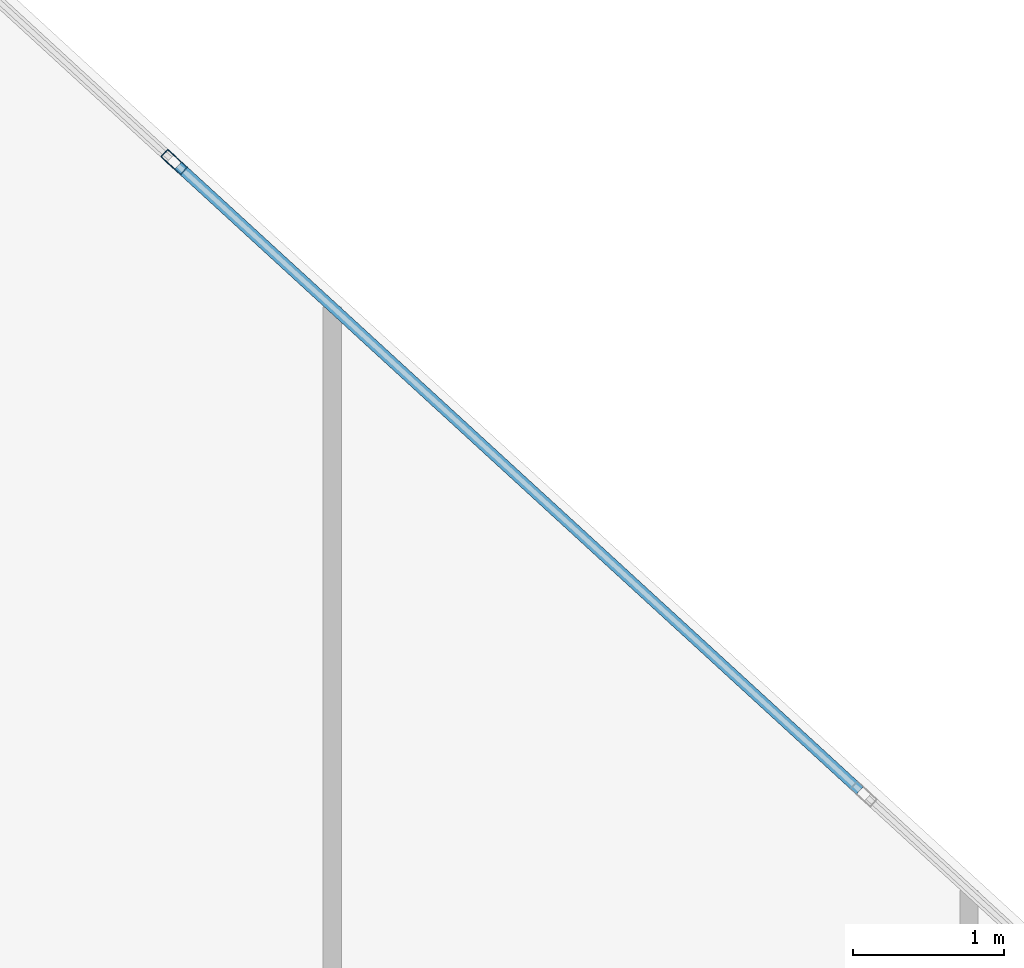
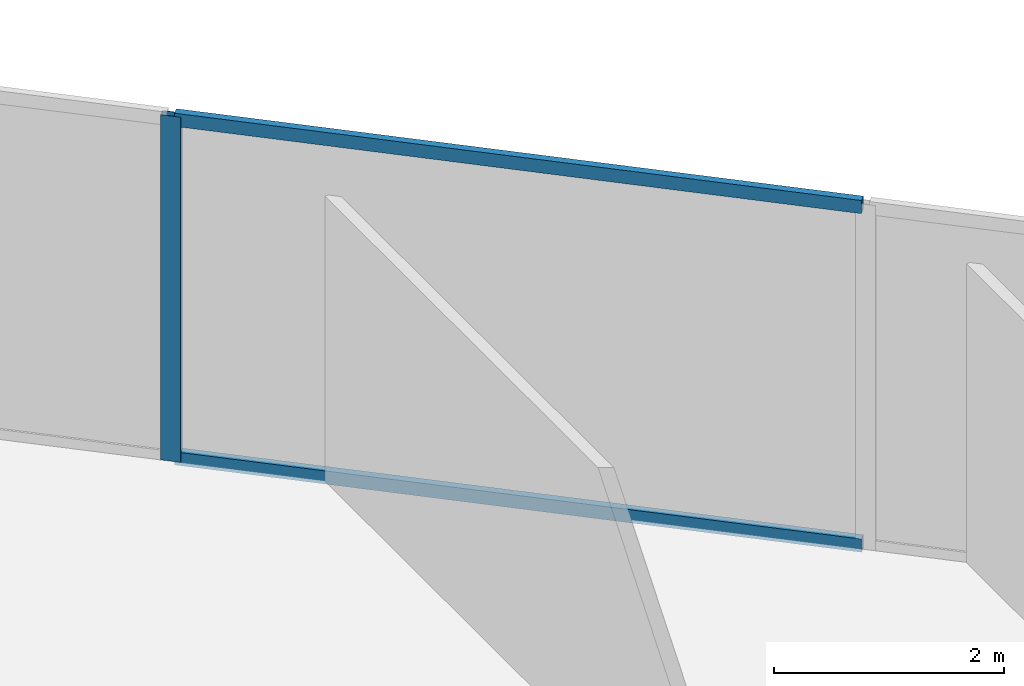
# One storey, part 20 of 26: 3 members, 1 element without a shape of its own.
"""IFC4 building model written with IfcOpenShell, lengths in metres."""

import ifcopenshell
import ifcopenshell.guid

model = None  # the IFC model being written
_history = None  # IfcOwnerHistory: only IFC2X3 demands one
_inside = {}  # id of a spatial element -> (the spatial element, [elements in it])
_under = {}  # id of a project, library or spatial element -> (it, [spatial elements below it])
_declared = {}  # id of a project -> (the project, [libraries it declares])
_typed = {}  # id of a type object -> (the type object, [elements of that type])
_made_of = {}  # id of a material, layer set ... -> (it, [elements and type objects made of it])


def new_model(schema):
    """Start an empty IFC model of exactly this schema.

    Asked for "IFC4X3", IfcOpenShell would pick the latest addendum, in which some entities
    have other attributes; the version numbers below select the first issue.
    IFC2X3 requires an IfcOwnerHistory on every rooted entity: one is made here for all.
    """
    global model, _history
    if schema == "IFC4X3":
        model = ifcopenshell.file(schema_version=(4, 3, 0, 0))
    else:
        model = ifcopenshell.file(schema=schema)
    _inside.clear()
    _under.clear()
    _declared.clear()
    _typed.clear()
    _made_of.clear()
    _history = None
    if model.schema == "IFC2X3":
        org = make("IfcOrganization", Name="unknown")
        user = make(
            "IfcPersonAndOrganization",
            ThePerson=make("IfcPerson", FamilyName="unknown"),
            TheOrganization=org,
        )
        app = make(
            "IfcApplication",
            ApplicationDeveloper=org,
            Version="unknown",
            ApplicationFullName="unknown",
            ApplicationIdentifier="unknown",
        )
        _history = make(
            "IfcOwnerHistory",
            OwningUser=user,
            OwningApplication=app,
            ChangeAction="ADDED",
            CreationDate=0,
        )
    return model


def make(cls, **values):
    """One entity of the class cls with the attributes given. An attribute that is None is left unset."""
    return model.create_entity(
        cls, **{name: value for name, value in values.items() if value is not None}
    )


def rooted(cls, **values):
    """An entity with a GlobalId (a new one), such as an element, a storey or a relation."""
    return make(cls, GlobalId=ifcopenshell.guid.new(), OwnerHistory=_history, **values)


def si_unit(unit_type, name, prefix=None):
    """IfcSIUnit, for example si_unit("LENGTHUNIT", "METRE", prefix="MILLI")."""
    return make("IfcSIUnit", UnitType=unit_type, Prefix=prefix, Name=name)


def assignment(units):
    """IfcUnitAssignment: the units of a project."""
    return None if units is None else make("IfcUnitAssignment", Units=units)


def point(xyz):
    """IfcCartesianPoint."""
    return None if xyz is None else make("IfcCartesianPoint", Coordinates=xyz)


def direction(xyz):
    """IfcDirection."""
    return None if xyz is None else make("IfcDirection", DirectionRatios=xyz)


def frame(location, z_axis=None, x_axis=None):
    """IfcAxis2Placement3D, a coordinate frame: its origin and axes. An axis left out is left unset."""
    return make(
        "IfcAxis2Placement3D",
        Location=point(location),
        Axis=direction(z_axis),
        RefDirection=direction(x_axis),
    )


def frame_2d(location, x_axis=None):
    """IfcAxis2Placement2D, a coordinate frame in the plane: its origin and x axis."""
    return make(
        "IfcAxis2Placement2D", Location=point(location), RefDirection=direction(x_axis)
    )


def origin():
    """The frame at (0, 0, 0) with its axes left unset."""
    return frame((0.0, 0.0, 0.0))


def origin_2d():
    """The frame at (0, 0) in the plane with its x axis left unset."""
    return frame_2d((0.0, 0.0))


def place(relative_to, where):
    """IfcLocalPlacement: puts the frame where relative to a parent placement (None: the world)."""
    return make(
        "IfcLocalPlacement", PlacementRelTo=relative_to, RelativePlacement=where
    )


def context(
    kind, dimensions, precision=None, world=None, true_north=None, identifier=None
):
    """IfcGeometricRepresentationContext, for example the 3D "Model" context."""
    return make(
        "IfcGeometricRepresentationContext",
        ContextIdentifier=identifier,
        ContextType=kind,
        CoordinateSpaceDimension=dimensions,
        Precision=precision,
        WorldCoordinateSystem=world,
        TrueNorth=true_north,
    )


def subcontext(parent, identifier, kind, view, scale=None):
    """IfcGeometricRepresentationSubContext, for example "Body" below "Model"."""
    return make(
        "IfcGeometricRepresentationSubContext",
        ContextIdentifier=identifier,
        ContextType=kind,
        ParentContext=parent,
        TargetScale=scale,
        TargetView=view,
    )


def project(units=None, contexts=None):
    """IfcProject with its units and contexts."""
    return rooted(
        "IfcProject",
        Name="project",
        RepresentationContexts=contexts,
        UnitsInContext=assignment(units),
    )


def spatial(cls, under=None, at=None, **own):
    """A site, building, storey or space (cls), placed at a placement, below another one or the project."""
    s = rooted(cls, ObjectPlacement=at, **own)
    if under is not None:
        _under.setdefault(under.id(), (under, []))[1].append(s)
    return s


def profile(cls, at=None, kind="AREA", **sizes):
    """A parametric profile (cls). Its sizes go by their IFC names, for example OverallWidth=200.0."""
    return make(cls, ProfileType=kind, Position=at, **sizes)


def hollow_rectangle(**sizes):
    """IfcRectangleHollowProfileDef."""
    return profile("IfcRectangleHollowProfileDef", **sizes)


def extrude(swept, where, along, depth):
    """IfcExtrudedAreaSolid: the profile swept, set in the frame where, extruded along a direction by depth."""
    return make(
        "IfcExtrudedAreaSolid",
        SweptArea=swept,
        Position=where,
        ExtrudedDirection=direction(along),
        Depth=depth,
    )


def shape(context_of_items, identifier, shape_type, items):
    """IfcShapeRepresentation: the items that make up one representation, for example the "Body"."""
    return make(
        "IfcShapeRepresentation",
        ContextOfItems=context_of_items,
        RepresentationIdentifier=identifier,
        RepresentationType=shape_type,
        Items=items,
    )


def source(mapping_origin, context_of_items, identifier, shape_type, items):
    """IfcRepresentationMap: a shape defined once, which mapped items show again and again."""
    return make(
        "IfcRepresentationMap",
        MappingOrigin=mapping_origin,
        MappedRepresentation=shape(context_of_items, identifier, shape_type, items),
    )


def transform(
    local_origin,
    x_axis=None,
    y_axis=None,
    z_axis=None,
    scale=None,
    scale2=None,
    scale3=None,
    uniform=True,
):
    """IfcCartesianTransformationOperator3D, or its non-uniform kind. x_axis, y_axis, z_axis: its Axis1, 2, 3."""
    if uniform:
        return make(
            "IfcCartesianTransformationOperator3D",
            Axis1=direction(x_axis),
            Axis2=direction(y_axis),
            LocalOrigin=point(local_origin),
            Scale=scale,
            Axis3=direction(z_axis),
        )
    return make(
        "IfcCartesianTransformationOperator3DnonUniform",
        Axis1=direction(x_axis),
        Axis2=direction(y_axis),
        LocalOrigin=point(local_origin),
        Scale=scale,
        Axis3=direction(z_axis),
        Scale2=scale2,
        Scale3=scale3,
    )


def mapped(mapping_source, mapping_target):
    """IfcMappedItem: shows the shape of a source again, moved by a transform."""
    return make(
        "IfcMappedItem", MappingSource=mapping_source, MappingTarget=mapping_target
    )


def material(Name=None, Category=None):
    """IfcMaterial."""
    return make("IfcMaterial", Name=Name, Category=Category)


def material_profile(
    of_material, cross_section, Name=None, Category=None, Priority=None
):
    """IfcMaterialProfile: a cross section and its material."""
    return make(
        "IfcMaterialProfile",
        Name=Name,
        Material=of_material,
        Profile=cross_section,
        Priority=Priority,
        Category=Category,
    )


def profile_set(profiles, Name=None, composite=None):
    """IfcMaterialProfileSet."""
    return make(
        "IfcMaterialProfileSet",
        Name=Name,
        MaterialProfiles=profiles,
        CompositeProfile=composite,
    )


def made_of(thing, what):
    """Note that an element or type object is made of a material, layer set ...; save() writes the relation."""
    if what is not None:
        _made_of.setdefault(what.id(), (what, []))[1].append(thing)
    return thing


def type_object(cls, material=None, **own):
    """A type object (cls), such as IfcWallType, which elements share."""
    return made_of(rooted(cls, **own), material)


def type_shapes(of_type, sources):
    """Give a type object the sources (RepresentationMaps) that its elements show as mapped items."""
    of_type.RepresentationMaps = sources


def element(
    cls,
    number,
    at=None,
    inside=None,
    cuts=None,
    type_object=None,
    material=None,
    context=None,
    identifier="Body",
    shape_type=None,
    held_by="IfcProductDefinitionShape",
    body=None,
    shapes=None,
    **own,
):
    """One element of the class cls, such as IfcWall. Its Tag is "e" and its number.

    at: its placement. inside: the storey or other place that contains it. cuts: it is an
    opening in that element (IfcRelVoidsElement). A single representation is given by context,
    identifier, shape_type and body (its items); several are given by shapes. held_by: the class
    of the entity that holds the representations. save() writes the other relations.
    """
    e = rooted(cls, Tag="e%d" % number, ObjectPlacement=at, **own)
    if body is not None:
        shapes = [shape(context, identifier, shape_type, body)]
    if shapes is not None:
        e.Representation = make(held_by, Representations=shapes)
    if inside is not None:
        _inside.setdefault(inside.id(), (inside, []))[1].append(e)
    if cuts is not None:
        rooted(
            "IfcRelVoidsElement", RelatingBuildingElement=cuts, RelatedOpeningElement=e
        )
    if type_object is not None:
        _typed.setdefault(type_object.id(), (type_object, []))[1].append(e)
    return made_of(e, material)


def aggregate(whole, parts):
    """IfcRelAggregates: a whole, such as a stair, and the parts it consists of."""
    return rooted("IfcRelAggregates", RelatingObject=whole, RelatedObjects=parts)


def save(model, path):
    """Write the relations noted so far, then the file.

    IfcRelAggregates (storeys below a building ...), IfcRelContainedInSpatialStructure (elements
    in a storey), IfcRelDefinesByType, IfcRelAssociatesMaterial and IfcRelDeclares: one each for
    every whole, place, type object, material and project.
    """
    for whole, parts in _under.values():
        aggregate(whole, parts)
    for where, things in _inside.values():
        rooted(
            "IfcRelContainedInSpatialStructure",
            RelatedElements=things,
            RelatingStructure=where,
        )
    for kind, things in _typed.values():
        rooted("IfcRelDefinesByType", RelatedObjects=things, RelatingType=kind)
    for what, things in _made_of.values():
        rooted("IfcRelAssociatesMaterial", RelatedObjects=things, RelatingMaterial=what)
    for by, libraries in _declared.values():
        rooted("IfcRelDeclares", RelatingContext=by, RelatedDefinitions=libraries)
    model.write(path)


model = new_model("IFC4")

# Units and contexts
model_context = context("Model", 3, precision=1e-05, world=origin(), true_north=direction((0.0, 1.0)))
body_context = subcontext(model_context, "Body", "Model", "MODEL_VIEW")
ifc_project = project(units=[si_unit("LENGTHUNIT", "METRE"), si_unit("AREAUNIT", "SQUARE_METRE"), si_unit("VOLUMEUNIT", "CUBIC_METRE"), si_unit("PLANEANGLEUNIT", "RADIAN"), si_unit("MASSUNIT", "GRAM", prefix="KILO")], contexts=[model_context])

# Site, building, storey
site_placement = place(None, origin())
site = spatial("IfcSite", under=ifc_project, at=site_placement, CompositionType="ELEMENT")
building_placement = place(site_placement, origin())
building = spatial("IfcBuilding", under=site, at=building_placement, Name="Krantzveldt Concourse Tower", CompositionType="ELEMENT")
storey_placement = place(building_placement, frame((0.0, 0.0, 227.050048828125)))
storey = spatial("IfcBuildingStorey", under=building, at=storey_placement, Name="L55", CompositionType="ELEMENT", Elevation=227.050048828125)

# Curtain wall, members
ifc_material = material(Name="Anodised aluminium 6063-T6", Category="aluminium")
curtain_wall_type = type_object("IfcCurtainWallType", Name="CW3", PredefinedType="USERDEFINED", material=ifc_material)
curtain_wall_placement = place(storey_placement, origin())
curtain_wall = element("IfcCurtainWall", 1, at=curtain_wall_placement, inside=storey, type_object=curtain_wall_type, Name="CW-L55-F14", ObjectType="UNITISED CURTAIN WALL", PredefinedType="USERDEFINED")
ifc_material_profile_1 = material_profile(ifc_material, hollow_rectangle(XDim=0.070068359375, YDim=0.179931640625, WallThickness=0.0048828125, at=origin_2d()), Name="Anodised aluminium 6063-T6", Category="aluminium")
ifc_profile_set_1 = profile_set([ifc_material_profile_1], Name="Anodised aluminium 6063-T6 - ALU-MULL 180x70x5")
member_type_1 = type_object("IfcMemberType", Name="CW-MUL-180", PredefinedType="MULLION", material=ifc_profile_set_1)
shared_shape_1 = source(origin(), body_context, "Body", "SweptSolid", [
    extrude(hollow_rectangle(XDim=0.070068359375, YDim=0.179931640625, WallThickness=0.0048828125, at=origin_2d()), origin(), (0.0, 0.0, 1.0), 3.669921875),
])
type_shapes(member_type_1, [shared_shape_1])
member_1_placement = place(storey_placement, frame((42.93212890625, 48.03076171875, 0.0), z_axis=(0.0, 0.0, 1.0), x_axis=(-0.675590053651, -0.737277477893, 0.0)))
member_1 = element("IfcMember", 2, at=member_1_placement, type_object=member_type_1, Name="CW-Z34 mullion 5", PredefinedType="MULLION", context=body_context, shape_type="MappedRepresentation", body=[
    mapped(shared_shape_1, transform((0.0, 0.0, 0.0), x_axis=(1.0, 0.0, 0.0), y_axis=(0.0, 1.0, 0.0), z_axis=(0.0, 0.0, 1.0), scale=1.0)),
])
ifc_material_profile_2 = material_profile(ifc_material, hollow_rectangle(XDim=0.070068359375, YDim=0.139892578125, WallThickness=0.0048828125, at=origin_2d()), Name="Anodised aluminium 6063-T6", Category="aluminium")
ifc_profile_set_2 = profile_set([ifc_material_profile_2], Name="Anodised aluminium 6063-T6 - ALU-TRAN 140x70x5")
member_type_2 = type_object("IfcMemberType", Name="CW-TRN-150", PredefinedType="USERDEFINED", material=ifc_profile_set_2)
shared_shape_2 = source(origin(), body_context, "Body", "SweptSolid", [
    extrude(hollow_rectangle(XDim=0.070068359375, YDim=0.139892578125, WallThickness=0.0048828125, at=origin_2d()), origin(), (0.0, 0.0, 1.0), 6.130126953125),
])
type_shapes(member_type_2, [shared_shape_2])
member_2_placement = place(storey_placement, frame((47.4775390625, 43.86572265625, 0.034912109375), z_axis=(-0.737279770771, 0.675587551404, 0.0), x_axis=(-0.675587551404, -0.737279770771, 0.0)))
member_2 = element("IfcMember", 3, at=member_2_placement, type_object=member_type_2, Name="CW-Z34 transom 4.1", ObjectType="TRANSOM", PredefinedType="USERDEFINED", context=body_context, shape_type="MappedRepresentation", body=[
    mapped(shared_shape_2, transform((0.0, 0.0, 0.0), x_axis=(1.0, 0.0, 0.0), y_axis=(0.0, 1.0, 0.0), z_axis=(0.0, 0.0, 1.0), scale=1.0)),
])
member_3_placement = place(storey_placement, frame((47.4775390625, 43.86572265625, 3.635009765625), z_axis=(-0.737279770771, 0.675587551404, 0.0), x_axis=(-0.675587551404, -0.737279770771, 0.0)))
member_3 = element("IfcMember", 4, at=member_3_placement, type_object=member_type_2, Name="CW-Z34 transom 4.2", ObjectType="TRANSOM", PredefinedType="USERDEFINED", context=body_context, shape_type="MappedRepresentation", body=[
    mapped(shared_shape_2, transform((0.0, 0.0, 0.0), x_axis=(1.0, 0.0, 0.0), y_axis=(0.0, 1.0, 0.0), z_axis=(0.0, 0.0, 1.0), scale=1.0)),
])
aggregate(curtain_wall, [member_1, member_2, member_3])

save(model, "model.ifc")
